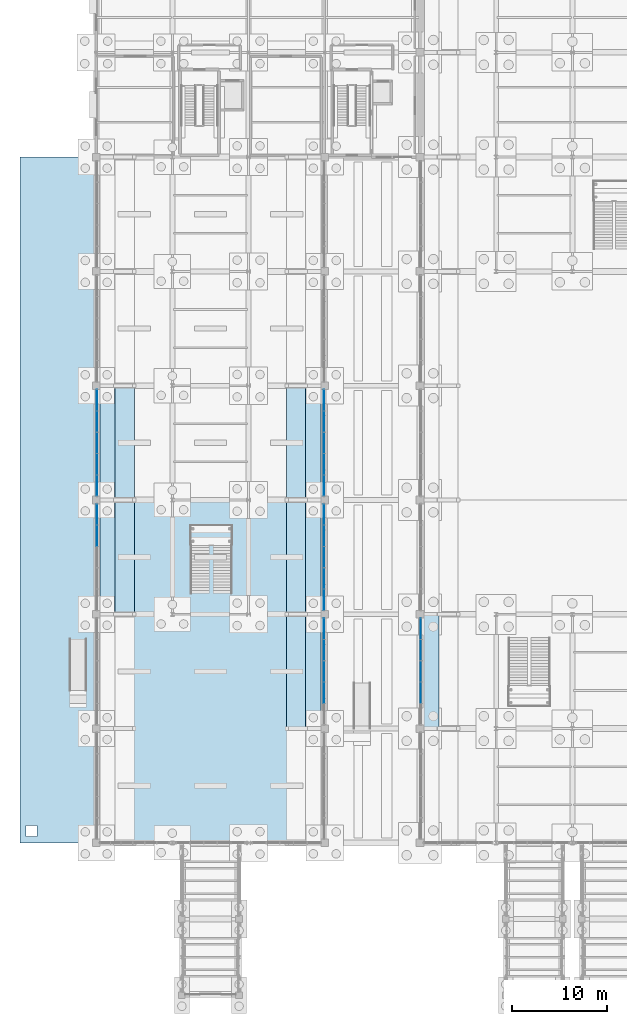
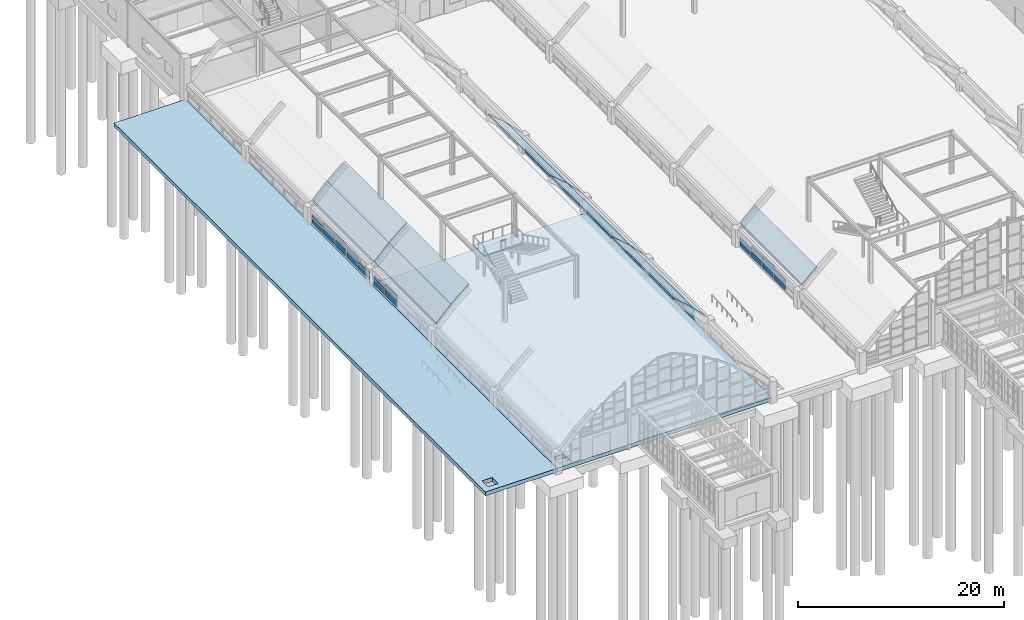
# One storey, part 84 of 129: 50 plates, 14 slabs, 7 elements without a shape of their own.
"""IFC4 building model written with IfcOpenShell, lengths in metres."""

from ifc_helpers import new_model, si_unit, direction, frame, origin, origin_2d, place, context, subcontext, project, spatial, polyline, rectangle, outline, extrude, material, layer, layer_set, type_object, element, aggregate, save


model = new_model("IFC4")

# Units and contexts
model_context = context("Model", 3, precision=1e-05, world=origin(), true_north=direction((0.0, 1.0)))
body_context = subcontext(model_context, "Body", "Model", "MODEL_VIEW")
ifc_project = project(units=[si_unit("LENGTHUNIT", "METRE"), si_unit("AREAUNIT", "SQUARE_METRE"), si_unit("VOLUMEUNIT", "CUBIC_METRE"), si_unit("PLANEANGLEUNIT", "RADIAN"), si_unit("MASSUNIT", "GRAM", prefix="KILO")], contexts=[model_context])

# Site, building, storey
site_placement = place(None, origin())
site = spatial("IfcSite", under=ifc_project, at=site_placement, CompositionType="ELEMENT")
building_placement = place(site_placement, origin())
building = spatial("IfcBuilding", under=site, at=building_placement, Name="Sitalva Quay Ferry Terminal", CompositionType="ELEMENT")
storey_placement = place(building_placement, origin())
storey = spatial("IfcBuildingStorey", under=building, at=storey_placement, Name="L01", CompositionType="ELEMENT", Elevation=0.0)

# Curtain wall, plates
ifc_material_1 = material(Name="Anodised Aluminium & Low-E Glazing", Category="aluminium")
ifc_layer_1 = layer(ifc_material_1, 0.159912109375)
ifc_layer_set_1 = layer_set([ifc_layer_1], Name="Anodised Aluminium & Low-E Glazing")
curtain_wall_type = type_object("IfcCurtainWallType", Name="CW_VaultArch_Glazed", PredefinedType="USERDEFINED", material=ifc_layer_set_1)
curtain_wall_1_placement = place(storey_placement, origin())
curtain_wall_1 = element("IfcCurtainWall", 1, at=curtain_wall_1_placement, inside=storey, type_object=curtain_wall_type, Name="V2-E shallow-arch base glazing (CW-L01-016)", ObjectType="CURTAIN_WALL", PredefinedType="USERDEFINED")
ifc_material_2 = material(Name="Clear Low-Iron Arch Glazing", Category="glass")
ifc_layer_2 = layer(ifc_material_2, 0.02587890625)
ifc_layer_set_2 = layer_set([ifc_layer_2], Name="Clear Low-Iron Arch Glazing")
plate_type = type_object("IfcPlateType", Name="Panel_Arch_IGU_26", PredefinedType="CURTAIN_PANEL", material=ifc_layer_set_2)
plate_1_placement = place(storey_placement, frame((31.919921875, 21.760009765625, 0.1552734375), z_axis=(0.0, 0.0, 1.0), x_axis=(0.0, 1.0, 0.0)))
plate_1 = element("IfcPlate", 2, at=plate_1_placement, type_object=plate_type, Name="CW-L01-016-P1-0", PredefinedType="CURTAIN_PANEL", context=body_context, shape_type="SweptSolid", body=[
    extrude(rectangle(XDim=2.169921875, YDim=0.02587890625, at=origin_2d()), origin(), (0.0, 0.0, 1.0), 0.698486328125),
])
plate_2_placement = place(storey_placement, frame((31.919921875, 21.760009765625, 1.0087890625), z_axis=(0.0, 0.0, 1.0), x_axis=(0.0, 1.0, 0.0)))
plate_2 = element("IfcPlate", 3, at=plate_2_placement, type_object=plate_type, Name="CW-L01-016-P1-1", PredefinedType="CURTAIN_PANEL", context=body_context, shape_type="SweptSolid", body=[
    extrude(rectangle(XDim=2.169921875, YDim=0.02587890625, at=origin_2d()), origin(), (0.0, 0.0, 1.0), 0.543701171875),
])
plate_3_placement = place(storey_placement, frame((31.919921875, 24.0, 0.155029296875), z_axis=(0.0, 0.0, 1.0), x_axis=(0.0, 1.0, 0.0)))
plate_3 = element("IfcPlate", 4, at=plate_3_placement, type_object=plate_type, Name="CW-L01-016-P2-0", PredefinedType="CURTAIN_PANEL", context=body_context, shape_type="SweptSolid", body=[
    extrude(rectangle(XDim=2.169921875, YDim=0.02587890625, at=origin_2d()), origin(), (0.0, 0.0, 1.0), 0.775390625),
])
plate_4_placement = place(storey_placement, frame((31.919921875, 24.0, 1.08544921875), z_axis=(0.0, 0.0, 1.0), x_axis=(0.0, 1.0, 0.0)))
plate_4 = element("IfcPlate", 5, at=plate_4_placement, type_object=plate_type, Name="CW-L01-016-P2-1", PredefinedType="CURTAIN_PANEL", context=body_context, shape_type="SweptSolid", body=[
    extrude(rectangle(XDim=2.169921875, YDim=0.02587890625, at=origin_2d()), origin(), (0.0, 0.0, 1.0), 0.620361328125),
])
plate_5_placement = place(storey_placement, frame((31.919921875, 26.239990234375, 0.1552734375), z_axis=(0.0, 0.0, 1.0), x_axis=(0.0, 1.0, 0.0)))
plate_5 = element("IfcPlate", 6, at=plate_5_placement, type_object=plate_type, Name="CW-L01-016-P3-0", PredefinedType="CURTAIN_PANEL", context=body_context, shape_type="SweptSolid", body=[
    extrude(rectangle(XDim=2.169921875, YDim=0.02587890625, at=origin_2d()), origin(), (0.0, 0.0, 1.0), 0.698486328125),
])
plate_6_placement = place(storey_placement, frame((31.919921875, 26.239990234375, 1.0087890625), z_axis=(0.0, 0.0, 1.0), x_axis=(0.0, 1.0, 0.0)))
plate_6 = element("IfcPlate", 7, at=plate_6_placement, type_object=plate_type, Name="CW-L01-016-P3-1", PredefinedType="CURTAIN_PANEL", context=body_context, shape_type="SweptSolid", body=[
    extrude(rectangle(XDim=2.169921875, YDim=0.02587890625, at=origin_2d()), origin(), (0.0, 0.0, 1.0), 0.543701171875),
])
plate_7_placement = place(storey_placement, frame((31.919921875, 28.47998046875, 0.155029296875), z_axis=(0.0, 0.0, 1.0), x_axis=(0.0, 1.0, 0.0)))
plate_7 = element("IfcPlate", 8, at=plate_7_placement, type_object=plate_type, Name="CW-L01-016-P4-0", PredefinedType="CURTAIN_PANEL", context=body_context, shape_type="SweptSolid", body=[
    extrude(rectangle(XDim=2.169921875, YDim=0.02587890625, at=origin_2d()), origin(), (0.0, 0.0, 1.0), 0.544921875),
])
plate_8_placement = place(storey_placement, frame((31.919921875, 28.47998046875, 0.85498046875), z_axis=(0.0, 0.0, 1.0), x_axis=(0.0, 1.0, 0.0)))
plate_8 = element("IfcPlate", 9, at=plate_8_placement, type_object=plate_type, Name="CW-L01-016-P4-1", PredefinedType="CURTAIN_PANEL", context=body_context, shape_type="SweptSolid", body=[
    extrude(rectangle(XDim=2.169921875, YDim=0.02587890625, at=origin_2d()), origin(), (0.0, 0.0, 1.0), 0.389892578125),
])
aggregate(curtain_wall_1, [plate_1, plate_2, plate_3, plate_4, plate_5, plate_6, plate_7, plate_8])

curtain_wall_2_placement = place(storey_placement, origin())
curtain_wall_2 = element("IfcCurtainWall", 10, at=curtain_wall_2_placement, inside=storey, type_object=curtain_wall_type, Name="V1-W shallow-arch base glazing (CW-L01-017)", ObjectType="CURTAIN_WALL", PredefinedType="USERDEFINED")
plate_9_placement = place(storey_placement, frame((42.080078125, 21.760009765625, 0.1552734375), z_axis=(0.0, 0.0, 1.0), x_axis=(0.0, 1.0, 0.0)))
plate_9 = element("IfcPlate", 11, at=plate_9_placement, type_object=plate_type, Name="CW-L01-017-P1-0", PredefinedType="CURTAIN_PANEL", context=body_context, shape_type="SweptSolid", body=[
    extrude(rectangle(XDim=2.169921875, YDim=0.02587890625, at=origin_2d()), origin(), (0.0, 0.0, 1.0), 0.698486328125),
])
plate_10_placement = place(storey_placement, frame((42.080078125, 21.760009765625, 1.0087890625), z_axis=(0.0, 0.0, 1.0), x_axis=(0.0, 1.0, 0.0)))
plate_10 = element("IfcPlate", 12, at=plate_10_placement, type_object=plate_type, Name="CW-L01-017-P1-1", PredefinedType="CURTAIN_PANEL", context=body_context, shape_type="SweptSolid", body=[
    extrude(rectangle(XDim=2.169921875, YDim=0.02587890625, at=origin_2d()), origin(), (0.0, 0.0, 1.0), 0.543701171875),
])
plate_11_placement = place(storey_placement, frame((42.080078125, 24.0, 0.155029296875), z_axis=(0.0, 0.0, 1.0), x_axis=(0.0, 1.0, 0.0)))
plate_11 = element("IfcPlate", 13, at=plate_11_placement, type_object=plate_type, Name="CW-L01-017-P2-0", PredefinedType="CURTAIN_PANEL", context=body_context, shape_type="SweptSolid", body=[
    extrude(rectangle(XDim=2.169921875, YDim=0.02587890625, at=origin_2d()), origin(), (0.0, 0.0, 1.0), 0.775390625),
])
plate_12_placement = place(storey_placement, frame((42.080078125, 24.0, 1.08544921875), z_axis=(0.0, 0.0, 1.0), x_axis=(0.0, 1.0, 0.0)))
plate_12 = element("IfcPlate", 14, at=plate_12_placement, type_object=plate_type, Name="CW-L01-017-P2-1", PredefinedType="CURTAIN_PANEL", context=body_context, shape_type="SweptSolid", body=[
    extrude(rectangle(XDim=2.169921875, YDim=0.02587890625, at=origin_2d()), origin(), (0.0, 0.0, 1.0), 0.620361328125),
])
plate_13_placement = place(storey_placement, frame((42.080078125, 26.239990234375, 0.1552734375), z_axis=(0.0, 0.0, 1.0), x_axis=(0.0, 1.0, 0.0)))
plate_13 = element("IfcPlate", 15, at=plate_13_placement, type_object=plate_type, Name="CW-L01-017-P3-0", PredefinedType="CURTAIN_PANEL", context=body_context, shape_type="SweptSolid", body=[
    extrude(rectangle(XDim=2.169921875, YDim=0.02587890625, at=origin_2d()), origin(), (0.0, 0.0, 1.0), 0.698486328125),
])
plate_14_placement = place(storey_placement, frame((42.080078125, 26.239990234375, 1.0087890625), z_axis=(0.0, 0.0, 1.0), x_axis=(0.0, 1.0, 0.0)))
plate_14 = element("IfcPlate", 16, at=plate_14_placement, type_object=plate_type, Name="CW-L01-017-P3-1", PredefinedType="CURTAIN_PANEL", context=body_context, shape_type="SweptSolid", body=[
    extrude(rectangle(XDim=2.169921875, YDim=0.02587890625, at=origin_2d()), origin(), (0.0, 0.0, 1.0), 0.543701171875),
])
plate_15_placement = place(storey_placement, frame((42.080078125, 28.47998046875, 0.155029296875), z_axis=(0.0, 0.0, 1.0), x_axis=(0.0, 1.0, 0.0)))
plate_15 = element("IfcPlate", 17, at=plate_15_placement, type_object=plate_type, Name="CW-L01-017-P4-0", PredefinedType="CURTAIN_PANEL", context=body_context, shape_type="SweptSolid", body=[
    extrude(rectangle(XDim=2.169921875, YDim=0.02587890625, at=origin_2d()), origin(), (0.0, 0.0, 1.0), 0.544921875),
])
plate_16_placement = place(storey_placement, frame((42.080078125, 28.47998046875, 0.85498046875), z_axis=(0.0, 0.0, 1.0), x_axis=(0.0, 1.0, 0.0)))
plate_16 = element("IfcPlate", 18, at=plate_16_placement, type_object=plate_type, Name="CW-L01-017-P4-1", PredefinedType="CURTAIN_PANEL", context=body_context, shape_type="SweptSolid", body=[
    extrude(rectangle(XDim=2.169921875, YDim=0.02587890625, at=origin_2d()), origin(), (0.0, 0.0, 1.0), 0.389892578125),
])
aggregate(curtain_wall_2, [plate_9, plate_10, plate_11, plate_12, plate_13, plate_14, plate_15, plate_16])

curtain_wall_3_placement = place(storey_placement, origin())
curtain_wall_3 = element("IfcCurtainWall", 19, at=curtain_wall_3_placement, inside=storey, type_object=curtain_wall_type, Name="V2-W shallow-arch base glazing (CW-L01-018)", ObjectType="CURTAIN_WALL", PredefinedType="USERDEFINED")
plate_17_placement = place(storey_placement, frame((8.080078125, 38.239990234375, 0.1552734375), z_axis=(0.0, 0.0, 1.0), x_axis=(0.0, 1.0, 0.0)))
plate_17 = element("IfcPlate", 20, at=plate_17_placement, type_object=plate_type, Name="CW-L01-018-P3-0", PredefinedType="CURTAIN_PANEL", context=body_context, shape_type="SweptSolid", body=[
    extrude(rectangle(XDim=2.169921875, YDim=0.02587890625, at=origin_2d()), origin(), (0.0, 0.0, 1.0), 0.698486328125),
])
plate_18_placement = place(storey_placement, frame((8.080078125, 38.239990234375, 1.0087890625), z_axis=(0.0, 0.0, 1.0), x_axis=(0.0, 1.0, 0.0)))
plate_18 = element("IfcPlate", 21, at=plate_18_placement, type_object=plate_type, Name="CW-L01-018-P3-1", PredefinedType="CURTAIN_PANEL", context=body_context, shape_type="SweptSolid", body=[
    extrude(rectangle(XDim=2.169921875, YDim=0.02587890625, at=origin_2d()), origin(), (0.0, 0.0, 1.0), 0.543701171875),
])
plate_19_placement = place(storey_placement, frame((8.080078125, 40.47998046875, 0.155029296875), z_axis=(0.0, 0.0, 1.0), x_axis=(0.0, 1.0, 0.0)))
plate_19 = element("IfcPlate", 22, at=plate_19_placement, type_object=plate_type, Name="CW-L01-018-P4-0", PredefinedType="CURTAIN_PANEL", context=body_context, shape_type="SweptSolid", body=[
    extrude(rectangle(XDim=2.169921875, YDim=0.02587890625, at=origin_2d()), origin(), (0.0, 0.0, 1.0), 0.544921875),
])
plate_20_placement = place(storey_placement, frame((8.080078125, 40.47998046875, 0.85498046875), z_axis=(0.0, 0.0, 1.0), x_axis=(0.0, 1.0, 0.0)))
plate_20 = element("IfcPlate", 23, at=plate_20_placement, type_object=plate_type, Name="CW-L01-018-P4-1", PredefinedType="CURTAIN_PANEL", context=body_context, shape_type="SweptSolid", body=[
    extrude(rectangle(XDim=2.169921875, YDim=0.02587890625, at=origin_2d()), origin(), (0.0, 0.0, 1.0), 0.389892578125),
])
aggregate(curtain_wall_3, [plate_17, plate_18, plate_19, plate_20])

curtain_wall_4_placement = place(storey_placement, origin())
curtain_wall_4 = element("IfcCurtainWall", 24, at=curtain_wall_4_placement, inside=storey, type_object=curtain_wall_type, Name="V2-E shallow-arch base glazing (CW-L01-019)", ObjectType="CURTAIN_WALL", PredefinedType="USERDEFINED")
plate_21_placement = place(storey_placement, frame((31.919921875, 31.52001953125, 0.155029296875), z_axis=(0.0, 0.0, 1.0), x_axis=(0.0, 1.0, 0.0)))
plate_21 = element("IfcPlate", 25, at=plate_21_placement, type_object=plate_type, Name="CW-L01-019-P0-0", PredefinedType="CURTAIN_PANEL", context=body_context, shape_type="SweptSolid", body=[
    extrude(rectangle(XDim=2.169921875, YDim=0.02587890625, at=origin_2d()), origin(), (0.0, 0.0, 1.0), 0.544921875),
])
plate_22_placement = place(storey_placement, frame((31.919921875, 31.52001953125, 0.85498046875), z_axis=(0.0, 0.0, 1.0), x_axis=(0.0, 1.0, 0.0)))
plate_22 = element("IfcPlate", 26, at=plate_22_placement, type_object=plate_type, Name="CW-L01-019-P0-1", PredefinedType="CURTAIN_PANEL", context=body_context, shape_type="SweptSolid", body=[
    extrude(rectangle(XDim=2.169921875, YDim=0.02587890625, at=origin_2d()), origin(), (0.0, 0.0, 1.0), 0.389892578125),
])
plate_23_placement = place(storey_placement, frame((31.919921875, 33.760009765625, 0.1552734375), z_axis=(0.0, 0.0, 1.0), x_axis=(0.0, 1.0, 0.0)))
plate_23 = element("IfcPlate", 27, at=plate_23_placement, type_object=plate_type, Name="CW-L01-019-P1-0", PredefinedType="CURTAIN_PANEL", context=body_context, shape_type="SweptSolid", body=[
    extrude(rectangle(XDim=2.169921875, YDim=0.02587890625, at=origin_2d()), origin(), (0.0, 0.0, 1.0), 0.698486328125),
])
plate_24_placement = place(storey_placement, frame((31.919921875, 33.760009765625, 1.0087890625), z_axis=(0.0, 0.0, 1.0), x_axis=(0.0, 1.0, 0.0)))
plate_24 = element("IfcPlate", 28, at=plate_24_placement, type_object=plate_type, Name="CW-L01-019-P1-1", PredefinedType="CURTAIN_PANEL", context=body_context, shape_type="SweptSolid", body=[
    extrude(rectangle(XDim=2.169921875, YDim=0.02587890625, at=origin_2d()), origin(), (0.0, 0.0, 1.0), 0.543701171875),
])
plate_25_placement = place(storey_placement, frame((31.919921875, 36.0, 0.155029296875), z_axis=(0.0, 0.0, 1.0), x_axis=(0.0, 1.0, 0.0)))
plate_25 = element("IfcPlate", 29, at=plate_25_placement, type_object=plate_type, Name="CW-L01-019-P2-0", PredefinedType="CURTAIN_PANEL", context=body_context, shape_type="SweptSolid", body=[
    extrude(rectangle(XDim=2.169921875, YDim=0.02587890625, at=origin_2d()), origin(), (0.0, 0.0, 1.0), 0.775390625),
])
plate_26_placement = place(storey_placement, frame((31.919921875, 36.0, 1.08544921875), z_axis=(0.0, 0.0, 1.0), x_axis=(0.0, 1.0, 0.0)))
plate_26 = element("IfcPlate", 30, at=plate_26_placement, type_object=plate_type, Name="CW-L01-019-P2-1", PredefinedType="CURTAIN_PANEL", context=body_context, shape_type="SweptSolid", body=[
    extrude(rectangle(XDim=2.169921875, YDim=0.02587890625, at=origin_2d()), origin(), (0.0, 0.0, 1.0), 0.620361328125),
])
plate_27_placement = place(storey_placement, frame((31.919921875, 38.239990234375, 0.1552734375), z_axis=(0.0, 0.0, 1.0), x_axis=(0.0, 1.0, 0.0)))
plate_27 = element("IfcPlate", 31, at=plate_27_placement, type_object=plate_type, Name="CW-L01-019-P3-0", PredefinedType="CURTAIN_PANEL", context=body_context, shape_type="SweptSolid", body=[
    extrude(rectangle(XDim=2.169921875, YDim=0.02587890625, at=origin_2d()), origin(), (0.0, 0.0, 1.0), 0.698486328125),
])
plate_28_placement = place(storey_placement, frame((31.919921875, 38.239990234375, 1.0087890625), z_axis=(0.0, 0.0, 1.0), x_axis=(0.0, 1.0, 0.0)))
plate_28 = element("IfcPlate", 32, at=plate_28_placement, type_object=plate_type, Name="CW-L01-019-P3-1", PredefinedType="CURTAIN_PANEL", context=body_context, shape_type="SweptSolid", body=[
    extrude(rectangle(XDim=2.169921875, YDim=0.02587890625, at=origin_2d()), origin(), (0.0, 0.0, 1.0), 0.543701171875),
])
plate_29_placement = place(storey_placement, frame((31.919921875, 40.47998046875, 0.155029296875), z_axis=(0.0, 0.0, 1.0), x_axis=(0.0, 1.0, 0.0)))
plate_29 = element("IfcPlate", 33, at=plate_29_placement, type_object=plate_type, Name="CW-L01-019-P4-0", PredefinedType="CURTAIN_PANEL", context=body_context, shape_type="SweptSolid", body=[
    extrude(rectangle(XDim=2.169921875, YDim=0.02587890625, at=origin_2d()), origin(), (0.0, 0.0, 1.0), 0.544921875),
])
plate_30_placement = place(storey_placement, frame((31.919921875, 40.47998046875, 0.85498046875), z_axis=(0.0, 0.0, 1.0), x_axis=(0.0, 1.0, 0.0)))
plate_30 = element("IfcPlate", 34, at=plate_30_placement, type_object=plate_type, Name="CW-L01-019-P4-1", PredefinedType="CURTAIN_PANEL", context=body_context, shape_type="SweptSolid", body=[
    extrude(rectangle(XDim=2.169921875, YDim=0.02587890625, at=origin_2d()), origin(), (0.0, 0.0, 1.0), 0.389892578125),
])
aggregate(curtain_wall_4, [plate_21, plate_22, plate_23, plate_24, plate_25, plate_26, plate_27, plate_28, plate_29, plate_30])

curtain_wall_5_placement = place(storey_placement, origin())
curtain_wall_5 = element("IfcCurtainWall", 35, at=curtain_wall_5_placement, inside=storey, type_object=curtain_wall_type, Name="V2-W shallow-arch base glazing (CW-L01-021)", ObjectType="CURTAIN_WALL", PredefinedType="USERDEFINED")
plate_31_placement = place(storey_placement, frame((8.080078125, 43.52001953125, 0.155029296875), z_axis=(0.0, 0.0, 1.0), x_axis=(0.0, 1.0, 0.0)))
plate_31 = element("IfcPlate", 36, at=plate_31_placement, type_object=plate_type, Name="CW-L01-021-P0-0", PredefinedType="CURTAIN_PANEL", context=body_context, shape_type="SweptSolid", body=[
    extrude(rectangle(XDim=2.169921875, YDim=0.02587890625, at=origin_2d()), origin(), (0.0, 0.0, 1.0), 0.544921875),
])
plate_32_placement = place(storey_placement, frame((8.080078125, 43.52001953125, 0.85498046875), z_axis=(0.0, 0.0, 1.0), x_axis=(0.0, 1.0, 0.0)))
plate_32 = element("IfcPlate", 37, at=plate_32_placement, type_object=plate_type, Name="CW-L01-021-P0-1", PredefinedType="CURTAIN_PANEL", context=body_context, shape_type="SweptSolid", body=[
    extrude(rectangle(XDim=2.169921875, YDim=0.02587890625, at=origin_2d()), origin(), (0.0, 0.0, 1.0), 0.389892578125),
])
plate_33_placement = place(storey_placement, frame((8.080078125, 45.760009765625, 0.1552734375), z_axis=(0.0, 0.0, 1.0), x_axis=(0.0, 1.0, 0.0)))
plate_33 = element("IfcPlate", 38, at=plate_33_placement, type_object=plate_type, Name="CW-L01-021-P1-0", PredefinedType="CURTAIN_PANEL", context=body_context, shape_type="SweptSolid", body=[
    extrude(rectangle(XDim=2.169921875, YDim=0.02587890625, at=origin_2d()), origin(), (0.0, 0.0, 1.0), 0.698486328125),
])
plate_34_placement = place(storey_placement, frame((8.080078125, 45.760009765625, 1.0087890625), z_axis=(0.0, 0.0, 1.0), x_axis=(0.0, 1.0, 0.0)))
plate_34 = element("IfcPlate", 39, at=plate_34_placement, type_object=plate_type, Name="CW-L01-021-P1-1", PredefinedType="CURTAIN_PANEL", context=body_context, shape_type="SweptSolid", body=[
    extrude(rectangle(XDim=2.169921875, YDim=0.02587890625, at=origin_2d()), origin(), (0.0, 0.0, 1.0), 0.543701171875),
])
plate_35_placement = place(storey_placement, frame((8.080078125, 48.0, 0.155029296875), z_axis=(0.0, 0.0, 1.0), x_axis=(0.0, 1.0, 0.0)))
plate_35 = element("IfcPlate", 40, at=plate_35_placement, type_object=plate_type, Name="CW-L01-021-P2-0", PredefinedType="CURTAIN_PANEL", context=body_context, shape_type="SweptSolid", body=[
    extrude(rectangle(XDim=2.169921875, YDim=0.02587890625, at=origin_2d()), origin(), (0.0, 0.0, 1.0), 0.775390625),
])
plate_36_placement = place(storey_placement, frame((8.080078125, 48.0, 1.08544921875), z_axis=(0.0, 0.0, 1.0), x_axis=(0.0, 1.0, 0.0)))
plate_36 = element("IfcPlate", 41, at=plate_36_placement, type_object=plate_type, Name="CW-L01-021-P2-1", PredefinedType="CURTAIN_PANEL", context=body_context, shape_type="SweptSolid", body=[
    extrude(rectangle(XDim=2.169921875, YDim=0.02587890625, at=origin_2d()), origin(), (0.0, 0.0, 1.0), 0.620361328125),
])
plate_37_placement = place(storey_placement, frame((8.080078125, 50.239990234375, 0.1552734375), z_axis=(0.0, 0.0, 1.0), x_axis=(0.0, 1.0, 0.0)))
plate_37 = element("IfcPlate", 42, at=plate_37_placement, type_object=plate_type, Name="CW-L01-021-P3-0", PredefinedType="CURTAIN_PANEL", context=body_context, shape_type="SweptSolid", body=[
    extrude(rectangle(XDim=2.169921875, YDim=0.02587890625, at=origin_2d()), origin(), (0.0, 0.0, 1.0), 0.698486328125),
])
plate_38_placement = place(storey_placement, frame((8.080078125, 50.239990234375, 1.0087890625), z_axis=(0.0, 0.0, 1.0), x_axis=(0.0, 1.0, 0.0)))
plate_38 = element("IfcPlate", 43, at=plate_38_placement, type_object=plate_type, Name="CW-L01-021-P3-1", PredefinedType="CURTAIN_PANEL", context=body_context, shape_type="SweptSolid", body=[
    extrude(rectangle(XDim=2.169921875, YDim=0.02587890625, at=origin_2d()), origin(), (0.0, 0.0, 1.0), 0.543701171875),
])
plate_39_placement = place(storey_placement, frame((8.080078125, 52.47998046875, 0.155029296875), z_axis=(0.0, 0.0, 1.0), x_axis=(0.0, 1.0, 0.0)))
plate_39 = element("IfcPlate", 44, at=plate_39_placement, type_object=plate_type, Name="CW-L01-021-P4-0", PredefinedType="CURTAIN_PANEL", context=body_context, shape_type="SweptSolid", body=[
    extrude(rectangle(XDim=2.169921875, YDim=0.02587890625, at=origin_2d()), origin(), (0.0, 0.0, 1.0), 0.544921875),
])
plate_40_placement = place(storey_placement, frame((8.080078125, 52.47998046875, 0.85498046875), z_axis=(0.0, 0.0, 1.0), x_axis=(0.0, 1.0, 0.0)))
plate_40 = element("IfcPlate", 45, at=plate_40_placement, type_object=plate_type, Name="CW-L01-021-P4-1", PredefinedType="CURTAIN_PANEL", context=body_context, shape_type="SweptSolid", body=[
    extrude(rectangle(XDim=2.169921875, YDim=0.02587890625, at=origin_2d()), origin(), (0.0, 0.0, 1.0), 0.389892578125),
])
aggregate(curtain_wall_5, [plate_31, plate_32, plate_33, plate_34, plate_35, plate_36, plate_37, plate_38, plate_39, plate_40])

curtain_wall_6_placement = place(storey_placement, origin())
curtain_wall_6 = element("IfcCurtainWall", 46, at=curtain_wall_6_placement, inside=storey, type_object=curtain_wall_type, Name="V2-E shallow-arch base glazing (CW-L01-022)", ObjectType="CURTAIN_WALL", PredefinedType="USERDEFINED")
plate_41_placement = place(storey_placement, frame((31.919921875, 43.52001953125, 0.155029296875), z_axis=(0.0, 0.0, 1.0), x_axis=(0.0, 1.0, 0.0)))
plate_41 = element("IfcPlate", 47, at=plate_41_placement, type_object=plate_type, Name="CW-L01-022-P0-0", PredefinedType="CURTAIN_PANEL", context=body_context, shape_type="SweptSolid", body=[
    extrude(rectangle(XDim=2.169921875, YDim=0.02587890625, at=origin_2d()), origin(), (0.0, 0.0, 1.0), 0.544921875),
])
plate_42_placement = place(storey_placement, frame((31.919921875, 43.52001953125, 0.85498046875), z_axis=(0.0, 0.0, 1.0), x_axis=(0.0, 1.0, 0.0)))
plate_42 = element("IfcPlate", 48, at=plate_42_placement, type_object=plate_type, Name="CW-L01-022-P0-1", PredefinedType="CURTAIN_PANEL", context=body_context, shape_type="SweptSolid", body=[
    extrude(rectangle(XDim=2.169921875, YDim=0.02587890625, at=origin_2d()), origin(), (0.0, 0.0, 1.0), 0.389892578125),
])
plate_43_placement = place(storey_placement, frame((31.919921875, 45.760009765625, 0.1552734375), z_axis=(0.0, 0.0, 1.0), x_axis=(0.0, 1.0, 0.0)))
plate_43 = element("IfcPlate", 49, at=plate_43_placement, type_object=plate_type, Name="CW-L01-022-P1-0", PredefinedType="CURTAIN_PANEL", context=body_context, shape_type="SweptSolid", body=[
    extrude(rectangle(XDim=2.169921875, YDim=0.02587890625, at=origin_2d()), origin(), (0.0, 0.0, 1.0), 0.698486328125),
])
plate_44_placement = place(storey_placement, frame((31.919921875, 45.760009765625, 1.0087890625), z_axis=(0.0, 0.0, 1.0), x_axis=(0.0, 1.0, 0.0)))
plate_44 = element("IfcPlate", 50, at=plate_44_placement, type_object=plate_type, Name="CW-L01-022-P1-1", PredefinedType="CURTAIN_PANEL", context=body_context, shape_type="SweptSolid", body=[
    extrude(rectangle(XDim=2.169921875, YDim=0.02587890625, at=origin_2d()), origin(), (0.0, 0.0, 1.0), 0.543701171875),
])
plate_45_placement = place(storey_placement, frame((31.919921875, 48.0, 0.155029296875), z_axis=(0.0, 0.0, 1.0), x_axis=(0.0, 1.0, 0.0)))
plate_45 = element("IfcPlate", 51, at=plate_45_placement, type_object=plate_type, Name="CW-L01-022-P2-0", PredefinedType="CURTAIN_PANEL", context=body_context, shape_type="SweptSolid", body=[
    extrude(rectangle(XDim=2.169921875, YDim=0.02587890625, at=origin_2d()), origin(), (0.0, 0.0, 1.0), 0.775390625),
])
plate_46_placement = place(storey_placement, frame((31.919921875, 48.0, 1.08544921875), z_axis=(0.0, 0.0, 1.0), x_axis=(0.0, 1.0, 0.0)))
plate_46 = element("IfcPlate", 52, at=plate_46_placement, type_object=plate_type, Name="CW-L01-022-P2-1", PredefinedType="CURTAIN_PANEL", context=body_context, shape_type="SweptSolid", body=[
    extrude(rectangle(XDim=2.169921875, YDim=0.02587890625, at=origin_2d()), origin(), (0.0, 0.0, 1.0), 0.620361328125),
])
plate_47_placement = place(storey_placement, frame((31.919921875, 50.239990234375, 0.1552734375), z_axis=(0.0, 0.0, 1.0), x_axis=(0.0, 1.0, 0.0)))
plate_47 = element("IfcPlate", 53, at=plate_47_placement, type_object=plate_type, Name="CW-L01-022-P3-0", PredefinedType="CURTAIN_PANEL", context=body_context, shape_type="SweptSolid", body=[
    extrude(rectangle(XDim=2.169921875, YDim=0.02587890625, at=origin_2d()), origin(), (0.0, 0.0, 1.0), 0.698486328125),
])
plate_48_placement = place(storey_placement, frame((31.919921875, 50.239990234375, 1.0087890625), z_axis=(0.0, 0.0, 1.0), x_axis=(0.0, 1.0, 0.0)))
plate_48 = element("IfcPlate", 54, at=plate_48_placement, type_object=plate_type, Name="CW-L01-022-P3-1", PredefinedType="CURTAIN_PANEL", context=body_context, shape_type="SweptSolid", body=[
    extrude(rectangle(XDim=2.169921875, YDim=0.02587890625, at=origin_2d()), origin(), (0.0, 0.0, 1.0), 0.543701171875),
])
plate_49_placement = place(storey_placement, frame((31.919921875, 52.47998046875, 0.155029296875), z_axis=(0.0, 0.0, 1.0), x_axis=(0.0, 1.0, 0.0)))
plate_49 = element("IfcPlate", 55, at=plate_49_placement, type_object=plate_type, Name="CW-L01-022-P4-0", PredefinedType="CURTAIN_PANEL", context=body_context, shape_type="SweptSolid", body=[
    extrude(rectangle(XDim=2.169921875, YDim=0.02587890625, at=origin_2d()), origin(), (0.0, 0.0, 1.0), 0.544921875),
])
plate_50_placement = place(storey_placement, frame((31.919921875, 52.47998046875, 0.85498046875), z_axis=(0.0, 0.0, 1.0), x_axis=(0.0, 1.0, 0.0)))
plate_50 = element("IfcPlate", 56, at=plate_50_placement, type_object=plate_type, Name="CW-L01-022-P4-1", PredefinedType="CURTAIN_PANEL", context=body_context, shape_type="SweptSolid", body=[
    extrude(rectangle(XDim=2.169921875, YDim=0.02587890625, at=origin_2d()), origin(), (0.0, 0.0, 1.0), 0.389892578125),
])
aggregate(curtain_wall_6, [plate_41, plate_42, plate_43, plate_44, plate_45, plate_46, plate_47, plate_48, plate_49, plate_50])

# Slabs
ifc_material_3 = material(Name="Concrete C40/50", Category="concrete")
ifc_layer_3 = layer(ifc_material_3, 0.159912109375)
ifc_layer_set_3 = layer_set([ifc_layer_3], Name="Concrete C40/50")
slab_type_1 = type_object("IfcSlabType", Name="Slab_PointedVaultShell_160", PredefinedType="ROOF", material=ifc_layer_set_3)
slab_1_placement = place(storey_placement, frame((42.3798828125, 18.0, 2.460205078125), z_axis=(-0.688047902254, 0.0, 0.725665270082), x_axis=(0.725665270082, 0.0, 0.688047902254)))
element("IfcSlab", 57, at=slab_1_placement, inside=storey, type_object=slab_type_1, Name="Vault V1 pointed shell facet B2-F1", PredefinedType="ROOF", context=body_context, shape_type="SweptSolid", body=[
    extrude(outline(polyline([(0.0, 0.0), (2.2325957356566075, 0.0), (2.2325957356566075, 12.0), (0.0, 12.0), (0.0, 0.0)])), origin(), (-0.688047902254, 0.0, -0.725665270082), 0.220458984375),
])
slab_2_placement = place(storey_placement, frame((28.0, 18.0, 5.8779296875), z_axis=(0.648338785368, 0.0, 0.761351968138), x_axis=(0.761351968138, 0.0, -0.648338785368)))
element("IfcSlab", 58, at=slab_2_placement, inside=storey, type_object=slab_type_1, Name="Vault V2 pointed shell facet B2-F11", PredefinedType="ROOF", context=body_context, shape_type="SweptSolid", body=[
    extrude(outline(polyline([(0.0, 0.0), (2.6269059301057966, 0.0), (2.6269059301057966, 12.0), (0.0, 12.0), (0.0, 0.0)])), origin(), (0.648338785368, 0.0, -0.761351968138), 0.210205078125),
])
slab_3_placement = place(storey_placement, frame((30.0, 18.0, 4.1748046875), z_axis=(0.71995626628, 0.0, 0.69401943391), x_axis=(0.69401943391, 0.0, -0.71995626628)))
element("IfcSlab", 59, at=slab_3_placement, inside=storey, type_object=slab_type_1, Name="Vault V2 pointed shell facet B2-F12", PredefinedType="ROOF", context=body_context, shape_type="SweptSolid", body=[
    extrude(outline(polyline([(0.0, 0.0), (2.3343974366443936, 0.0), (2.3343974366443936, 12.0), (0.0, 12.0), (0.0, 0.0)])), origin(), (0.71995626628, 0.0, -0.69401943391), 0.23046875),
])
slab_4_placement = place(storey_placement, frame((8.3798828125, 30.0, 2.494140625), z_axis=(-0.71995626628, 0.0, 0.69401943391), x_axis=(0.69401943391, 0.0, 0.71995626628)))
element("IfcSlab", 60, at=slab_4_placement, inside=storey, type_object=slab_type_1, Name="Vault V2 pointed shell facet B3-F1", PredefinedType="ROOF", context=body_context, shape_type="SweptSolid", body=[
    extrude(outline(polyline([(0.0, 0.0), (2.3343974366443936, 0.0), (2.3343974366443936, 12.0), (0.0, 12.0), (0.0, 0.0)])), origin(), (-0.71995626628, 0.0, -0.69401943391), 0.23046875),
])
slab_5_placement = place(storey_placement, frame((10.0, 30.0, 4.1748046875), z_axis=(-0.648338785368, 0.0, 0.761351968138), x_axis=(0.761351968138, 0.0, 0.648338785368)))
element("IfcSlab", 61, at=slab_5_placement, inside=storey, type_object=slab_type_1, Name="Vault V2 pointed shell facet B3-F2", PredefinedType="ROOF", context=body_context, shape_type="SweptSolid", body=[
    extrude(outline(polyline([(0.0, 0.0), (2.6269059301057966, 0.0), (2.6269059301057966, 12.0), (0.0, 12.0), (0.0, 0.0)])), origin(), (-0.648338785368, 0.0, -0.761351968138), 0.210205078125),
])
slab_6_placement = place(storey_placement, frame((28.0, 30.0, 5.8779296875), z_axis=(0.648338785368, 0.0, 0.761351968138), x_axis=(0.761351968138, 0.0, -0.648338785368)))
element("IfcSlab", 62, at=slab_6_placement, inside=storey, type_object=slab_type_1, Name="Vault V2 pointed shell facet B3-F11", PredefinedType="ROOF", context=body_context, shape_type="SweptSolid", body=[
    extrude(outline(polyline([(0.0, 0.0), (2.6269059301057966, 0.0), (2.6269059301057966, 12.0), (0.0, 12.0), (0.0, 0.0)])), origin(), (0.648338785368, 0.0, -0.761351968138), 0.210205078125),
])
slab_7_placement = place(storey_placement, frame((30.0, 30.0, 4.1748046875), z_axis=(0.71995626628, 0.0, 0.69401943391), x_axis=(0.69401943391, 0.0, -0.71995626628)))
element("IfcSlab", 63, at=slab_7_placement, inside=storey, type_object=slab_type_1, Name="Vault V2 pointed shell facet B3-F12", PredefinedType="ROOF", context=body_context, shape_type="SweptSolid", body=[
    extrude(outline(polyline([(0.0, 0.0), (2.3343974366443936, 0.0), (2.3343974366443936, 12.0), (0.0, 12.0), (0.0, 0.0)])), origin(), (0.71995626628, 0.0, -0.69401943391), 0.23046875),
])
slab_8_placement = place(storey_placement, frame((8.3798828125, 42.0, 2.494140625), z_axis=(-0.71995626628, 0.0, 0.69401943391), x_axis=(0.69401943391, 0.0, 0.71995626628)))
element("IfcSlab", 64, at=slab_8_placement, inside=storey, type_object=slab_type_1, Name="Vault V2 pointed shell facet B4-F1", PredefinedType="ROOF", context=body_context, shape_type="SweptSolid", body=[
    extrude(outline(polyline([(0.0, 0.0), (2.3343974366443936, 0.0), (2.3343974366443936, 12.0), (0.0, 12.0), (0.0, 0.0)])), origin(), (-0.71995626628, 0.0, -0.69401943391), 0.23046875),
])
slab_9_placement = place(storey_placement, frame((10.0, 42.0, 4.1748046875), z_axis=(-0.648338785368, 0.0, 0.761351968138), x_axis=(0.761351968138, 0.0, 0.648338785368)))
element("IfcSlab", 65, at=slab_9_placement, inside=storey, type_object=slab_type_1, Name="Vault V2 pointed shell facet B4-F2", PredefinedType="ROOF", context=body_context, shape_type="SweptSolid", body=[
    extrude(outline(polyline([(0.0, 0.0), (2.6269059301057966, 0.0), (2.6269059301057966, 12.0), (0.0, 12.0), (0.0, 0.0)])), origin(), (-0.648338785368, 0.0, -0.761351968138), 0.210205078125),
])
slab_10_placement = place(storey_placement, frame((28.0, 42.0, 5.8779296875), z_axis=(0.648338785368, 0.0, 0.761351968138), x_axis=(0.761351968138, 0.0, -0.648338785368)))
element("IfcSlab", 66, at=slab_10_placement, inside=storey, type_object=slab_type_1, Name="Vault V2 pointed shell facet B4-F11", PredefinedType="ROOF", context=body_context, shape_type="SweptSolid", body=[
    extrude(outline(polyline([(0.0, 0.0), (2.6269059301057966, 0.0), (2.6269059301057966, 12.0), (0.0, 12.0), (0.0, 0.0)])), origin(), (0.648338785368, 0.0, -0.761351968138), 0.210205078125),
])
slab_11_placement = place(storey_placement, frame((30.0, 42.0, 4.1748046875), z_axis=(0.71995626628, 0.0, 0.69401943391), x_axis=(0.69401943391, 0.0, -0.71995626628)))
element("IfcSlab", 67, at=slab_11_placement, inside=storey, type_object=slab_type_1, Name="Vault V2 pointed shell facet B4-F12", PredefinedType="ROOF", context=body_context, shape_type="SweptSolid", body=[
    extrude(outline(polyline([(0.0, 0.0), (2.3343974366443936, 0.0), (2.3343974366443936, 12.0), (0.0, 12.0), (0.0, 0.0)])), origin(), (0.71995626628, 0.0, -0.69401943391), 0.23046875),
])
ifc_material_4 = material(Name="Concrete C35/45", Category="concrete")
ifc_layer_4 = layer(ifc_material_4, 0.449951171875)
ifc_layer_set_4 = layer_set([ifc_layer_4], Name="Concrete C35/45")
slab_type_2 = type_object("IfcSlabType", Name="Slab_QuayBase_450", PredefinedType="BASESLAB", material=ifc_layer_set_4)
slab_12_placement = place(storey_placement, frame((0.0, 0.0, -0.449951171875)))
element("IfcSlab", 68, at=slab_12_placement, inside=storey, type_object=slab_type_2, Name="L01 West river quay pedestrian apron 007", PredefinedType="BASESLAB", context=body_context, shape_type="SweptSolid", body=[
    extrude(outline(polyline([(0.0, 6.0), (8.0, 6.0), (8.0, 78.0), (0.0, 78.0), (0.0, 6.0)]), holes=[polyline([(0.64990234375, 6.64990234375), (0.64990234375, 7.800048828125), (1.800048828125, 7.800048828125), (1.800048828125, 6.64990234375), (0.64990234375, 6.64990234375)])]), origin(), (0.0, 0.0, 1.0), 0.449951171875),
])
slab_13_placement = place(storey_placement, frame((0.0, 0.0, -0.449951171875)))
element("IfcSlab", 69, at=slab_13_placement, inside=storey, type_object=slab_type_2, Name="L01 Arrivals hall south base 010", PredefinedType="BASESLAB", context=body_context, shape_type="SweptSolid", body=[
    extrude(outline(polyline([(8.0, 6.0), (32.0, 6.0), (32.0, 42.0), (8.0, 42.0), (8.0, 6.0)]), holes=[polyline([(8.64990234375, 6.64990234375), (8.64990234375, 7.800048828125), (9.800048828125, 7.800048828125), (9.800048828125, 6.64990234375), (8.64990234375, 6.64990234375)])]), origin(), (0.0, 0.0, 1.0), 0.449951171875),
])

# Stair, slab
ifc_material_5 = material(Name="Concrete C35/45", Category="concrete")
stair_type = type_object("IfcStairType", Name="Stair_ConcourseFeature_2000", PredefinedType="HALF_TURN_STAIR", material=ifc_material_5)
stair_placement = place(storey_placement, origin())
stair = element("IfcStair", 70, at=stair_placement, inside=storey, type_object=stair_type, Name="Grand concourse feature stair ST-14", PredefinedType="HALF_TURN_STAIR")
ifc_material_6 = material(Name="Concrete C35/45", Category="concrete")
ifc_layer_5 = layer(ifc_material_6, 0.199951171875)
ifc_layer_set_5 = layer_set([ifc_layer_5], Name="Concrete C35/45")
slab_type_3 = type_object("IfcSlabType", Name="Slab_StairLanding_200", PredefinedType="LANDING", material=ifc_layer_set_5)
slab_14_placement = place(storey_placement, frame((0.0, 0.0, 2.5)))
slab_14 = element("IfcSlab", 71, at=slab_14_placement, type_object=slab_type_3, Name="ST-14 landing 1", PredefinedType="LANDING", context=body_context, shape_type="SweptSolid", body=[
    extrude(outline(polyline([(17.89990234375, 37.300048828125), (22.25, 37.300048828125), (22.25, 39.35009765625), (17.89990234375, 39.35009765625), (17.89990234375, 37.300048828125)])), origin(), (0.0, 0.0, 1.0), 0.199951171875),
])
aggregate(stair, [slab_14])

save(model, "model.ifc")
